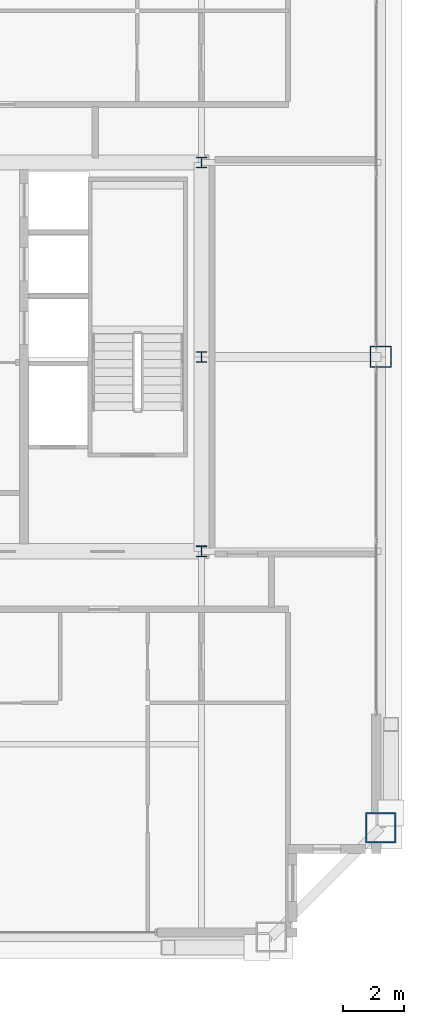
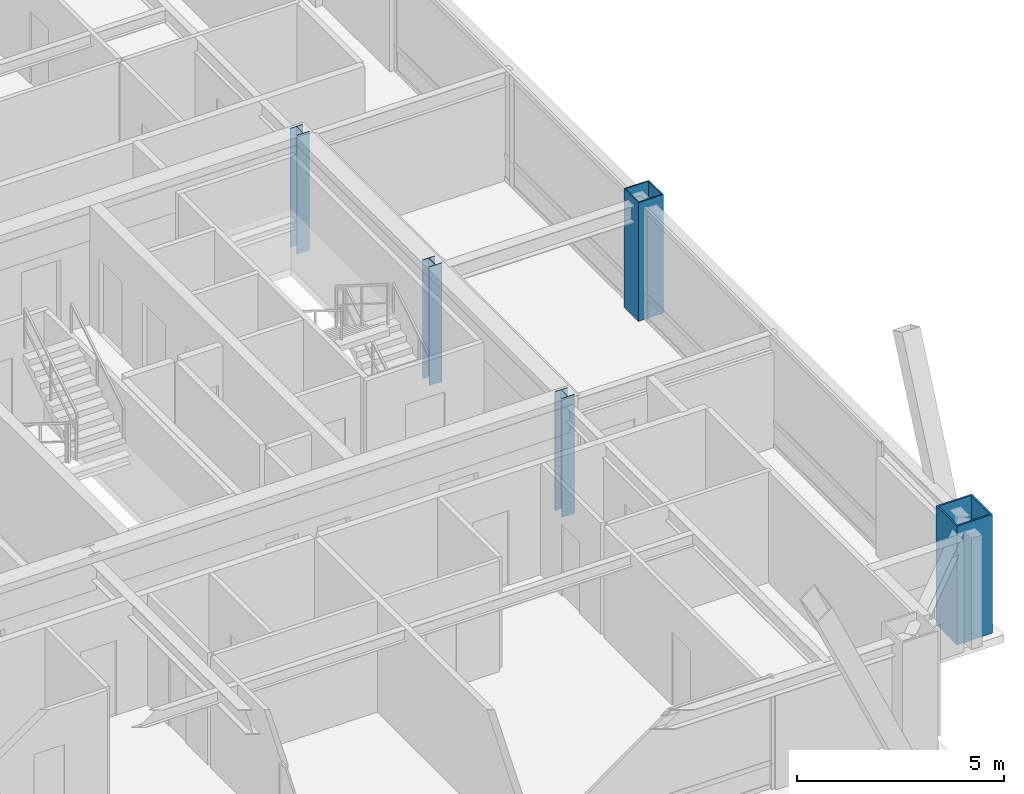
# One storey, part 2 of 35: 5 columns.
"""IFC4 building model written with IfcOpenShell, lengths in metres."""

from ifc_helpers import new_model, si_unit, direction, frame, origin, origin_2d, place, context, subcontext, project, spatial, hollow_rectangle, i_section, extrude, source, transform, mapped, material, material_profile, profile_set, type_object, element, save


model = new_model("IFC4")

# Units and contexts
model_context = context("Model", 3, precision=1e-05, world=origin(), true_north=direction((0.0, 1.0)))
body_context = subcontext(model_context, "Body", "Model", "MODEL_VIEW")
ifc_project = project(units=[si_unit("LENGTHUNIT", "METRE"), si_unit("AREAUNIT", "SQUARE_METRE"), si_unit("VOLUMEUNIT", "CUBIC_METRE"), si_unit("PLANEANGLEUNIT", "RADIAN"), si_unit("MASSUNIT", "GRAM", prefix="KILO"), si_unit("THERMODYNAMICTEMPERATUREUNIT", "KELVIN"), si_unit("POWERUNIT", "WATT")], contexts=[model_context])

# Site, building, storey
site_placement = place(None, origin())
site = spatial("IfcSite", under=ifc_project, at=site_placement, CompositionType="ELEMENT")
building_placement = place(site_placement, origin())
building = spatial("IfcBuilding", under=site, at=building_placement, Name="Yuzanri Waterfront Tower", CompositionType="ELEMENT")
storey_placement = place(building_placement, frame((0.0, 0.0, 314.699951171875)))
storey = spatial("IfcBuildingStorey", under=building, at=storey_placement, Name="L84", CompositionType="ELEMENT", Elevation=314.699951171875)

# Columns
ifc_material_1 = material(Name="Steel Q355B", Category="steel")
ifc_material_profile_1 = material_profile(ifc_material_1, hollow_rectangle(XDim=0.699951171875, YDim=0.699951171875, WallThickness=0.031982421875, at=origin_2d()), Name="RHS 700x700x32")
ifc_profile_set_1 = profile_set([ifc_material_profile_1], Name="Steel Q355B")
column_type_1 = type_object("IfcColumnType", Name="Frame Column Q355B RHS 700x700x32", PredefinedType="COLUMN", material=ifc_profile_set_1)
shared_shape_1 = source(origin(), body_context, "Body", "SweptSolid", [
    extrude(hollow_rectangle(XDim=0.699951171875, YDim=0.699951171875, WallThickness=0.031982421875, at=origin_2d()), origin(), (0.0, 0.0, 1.0), 3.5),
])
column_1_placement = place(storey_placement, frame((56.10009765625, 25.800048828125, 0.0), z_axis=(0.0, 0.0, 1.0), x_axis=(1.0, 0.0, 0.0)))
element("IfcColumn", 1, at=column_1_placement, inside=storey, type_object=column_type_1, Name="L84 Perimeter Frame Column E2", PredefinedType="COLUMN", context=body_context, shape_type="MappedRepresentation", body=[
    mapped(shared_shape_1, transform((0.0, 0.0, 0.0), scale=1.0)),
])
ifc_material_2 = material(Name="Steel Q355B", Category="steel")
ifc_material_profile_2 = material_profile(ifc_material_2, i_section(OverallWidth=0.35009765625, OverallDepth=0.35009765625, WebThickness=0.011962890625, FlangeThickness=0.01904296875, at=origin_2d()), Name="HW 350x350x12x19")
ifc_profile_set_2 = profile_set([ifc_material_profile_2], Name="Steel Q355B")
column_type_2 = type_object("IfcColumnType", Name="Core Post Q355B HW 350x350x12x19", PredefinedType="COLUMN", material=ifc_profile_set_2)
shared_shape_2 = source(origin(), body_context, "Body", "SweptSolid", [
    extrude(i_section(OverallWidth=0.35009765625, OverallDepth=0.35009765625, WebThickness=0.011962890625, FlangeThickness=0.01904296875, at=origin_2d()), origin(), (0.0, 0.0, 1.0), 3.5),
])
for number, where, z_axis, x_axis, name in (
    (2, (50.199951171875, 19.39990234375, 0.0), (0.0, 0.0, 1.0), (1.0, 0.0, 0.0), "L84 Core Boundary Column CP3"),
    (3, (50.199951171875, 25.800048828125, 0.0), (0.0, 0.0, 1.0), (1.0, 0.0, 0.0), "L84 Core Boundary Column CP5"),
    (4, (50.199951171875, 32.199951171875, 0.0), (0.0, 0.0, 1.0), (1.0, 0.0, 0.0), "L84 Core Boundary Column CP8"),
):
    element("IfcColumn", number, at=place(storey_placement, frame(where, z_axis=z_axis, x_axis=x_axis)), inside=storey, type_object=column_type_2, Name=name, PredefinedType="COLUMN", context=body_context, shape_type="MappedRepresentation", body=[
        mapped(shared_shape_2, transform((0.0, 0.0, 0.0), scale=1.0)),
    ])
ifc_material_3 = material(Name="Steel Q390GJC", Category="steel")
ifc_material_profile_3 = material_profile(ifc_material_3, hollow_rectangle(XDim=1.0, YDim=1.0, WallThickness=0.048095703125, at=origin_2d()), Name="RHS 1000x1000x48")
ifc_profile_set_3 = profile_set([ifc_material_profile_3], Name="Steel Q390GJC")
column_type_3 = type_object("IfcColumnType", Name="Mega Column Q390GJC RHS 1000x1000x48", PredefinedType="COLUMN", material=ifc_profile_set_3)
shared_shape_3 = source(origin(), body_context, "Body", "SweptSolid", [
    extrude(hollow_rectangle(XDim=1.0, YDim=1.0, WallThickness=0.048095703125, at=origin_2d()), origin(), (0.0, 0.0, 1.0), 3.5),
])
column_2_placement = place(storey_placement, frame((56.10009765625, 10.300048828125, 0.0), z_axis=(0.0, 0.0, 1.0), x_axis=(1.0, 0.0, 0.0)))
element("IfcColumn", 5, at=column_2_placement, inside=storey, type_object=column_type_3, Name="L84 Perimeter Mega Column E1", PredefinedType="COLUMN", context=body_context, shape_type="MappedRepresentation", body=[
    mapped(shared_shape_3, transform((0.0, 0.0, 0.0), scale=1.0)),
])

save(model, "model.ifc")
